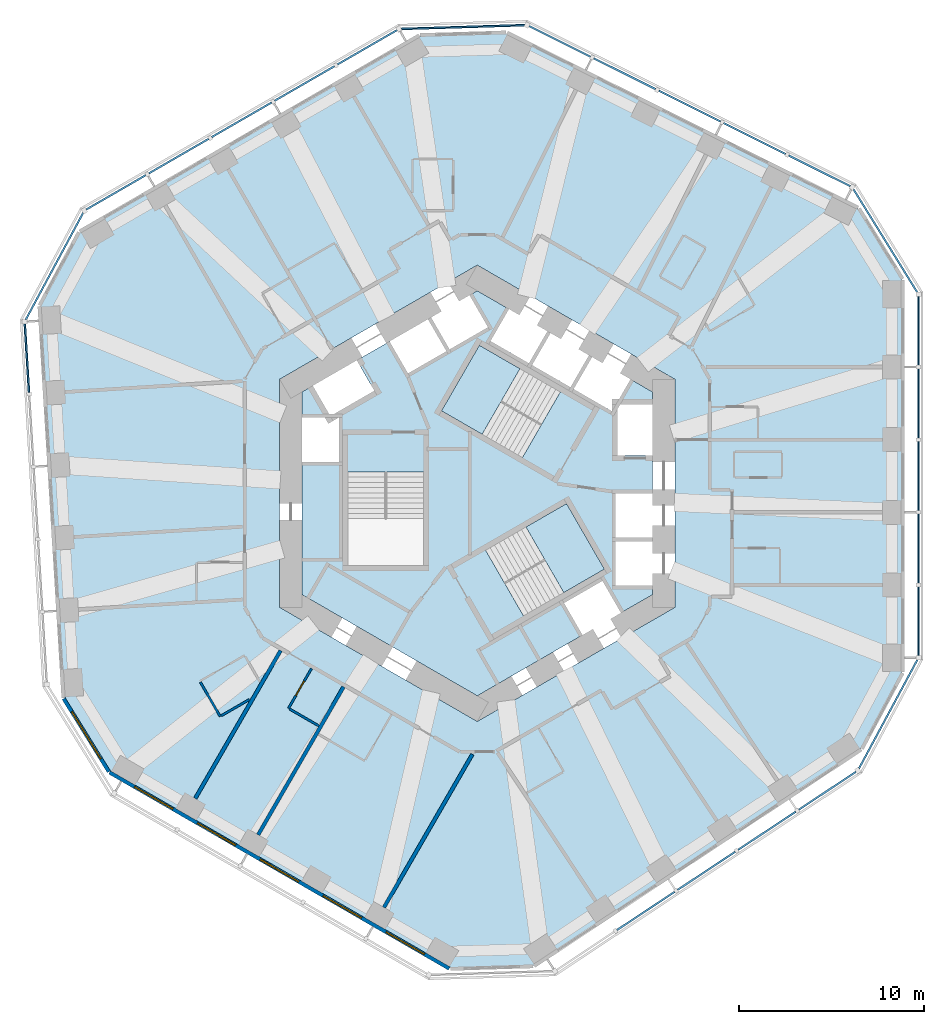
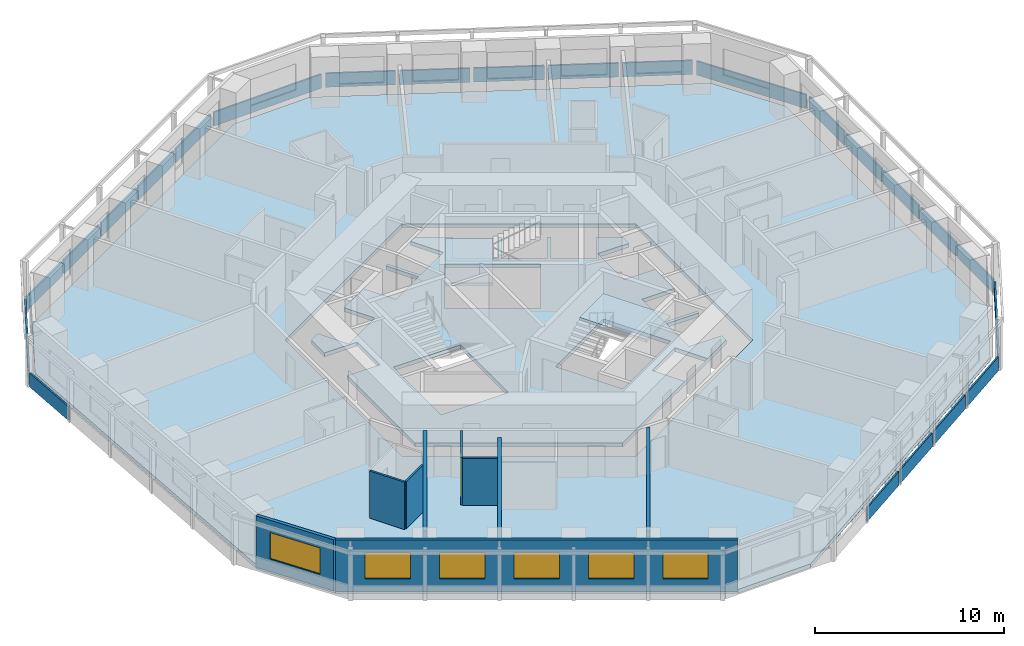
# One storey, part 3 of 12: 24 plates, 9 walls, 6 windows, 4 slabs, 1 door, 7 openings, 11 elements without a shape of their own.
"""IFC4 building model written with IfcOpenShell, lengths in metres."""

from ifc_helpers import new_model, si_unit, direction, frame, frame_2d, origin, origin_2d, place, context, subcontext, project, spatial, polyline, rectangle, outline, extrude, material, layer, layer_set, type_object, element, fill, aggregate, save


model = new_model("IFC4")

# Units and contexts
model_context = context("Model", 3, precision=1e-05, world=origin(), true_north=direction((0.0, 1.0)))
body_context = subcontext(model_context, "Body", "Model", "MODEL_VIEW")
ifc_project = project(units=[si_unit("LENGTHUNIT", "METRE"), si_unit("AREAUNIT", "SQUARE_METRE"), si_unit("VOLUMEUNIT", "CUBIC_METRE"), si_unit("PLANEANGLEUNIT", "RADIAN"), si_unit("MASSUNIT", "GRAM", prefix="KILO")], contexts=[model_context])

# Site, building, storey
site_placement = place(None, origin())
site = spatial("IfcSite", under=ifc_project, at=site_placement, CompositionType="ELEMENT")
building_placement = place(site_placement, origin())
building = spatial("IfcBuilding", under=site, at=building_placement, Name="Vanh Sen Convention Tower", CompositionType="ELEMENT")
storey_placement = place(building_placement, frame((0.0, 0.0, 44.0)))
storey = spatial("IfcBuildingStorey", under=building, at=storey_placement, Name="L07", CompositionType="ELEMENT", Elevation=44.0)

# Slabs
ifc_material_1 = material(Name="Concrete C40/50", Category="concrete")
ifc_layer_1 = layer(ifc_material_1, 0.25)
ifc_layer_set_1 = layer_set([ifc_layer_1], Name="Concrete C40/50")
slab_type_1 = type_object("IfcSlabType", Name="Core slab 250", PredefinedType="FLOOR", material=ifc_layer_set_1)
slab_1_placement = place(storey_placement, frame((0.0, 0.0, -0.25)))
element("IfcSlab", 1, at=slab_1_placement, inside=storey, type_object=slab_type_1, Name="Core slab L07", PredefinedType="FLOOR", context=body_context, shape_type="SweptSolid", body=[
    extrude(outline(polyline([(9.5, 5.48486328125), (9.5, 4.800048828125), (7.60009765625, 4.800048828125), (7.60009765625, 2.050048828125), (9.5, 2.050048828125), (9.5, 0.0), (7.5, 0.0), (7.5, -2.39990234375), (9.5, -2.39990234375), (9.5, -2.60009765625), (7.5, -2.60009765625), (7.5, -5.0), (9.5, -5.0), (9.5, -5.48486328125), (0.0, -10.9697265625), (-9.5, -5.48486328125), (-9.5, 1.699951171875), (-7.5, 1.699951171875), (-7.5, 4.10009765625), (-9.5, 4.10009765625), (-9.5, 5.48486328125), (-8.906982421875, 5.8271484375), (-7.956787109375, 4.181884765625), (-5.575439453125, 5.556884765625), (-6.525390625, 7.2021484375), (-4.75, 8.227294921875), (-3.75, 6.4951171875), (-1.67138671875, 7.6953125), (-2.67138671875, 9.42724609375), (-2.498291015625, 9.527099609375), (-1.498291015625, 7.795166015625), (0.580078125, 8.9951171875), (-0.419921875, 10.727294921875), (0.0, 10.9697265625), (1.718994140625, 9.977294921875), (0.718994140625, 8.2451171875), (2.79736328125, 7.045166015625), (3.79736328125, 8.777099609375), (3.970703125, 8.67724609375), (2.970703125, 6.9453125), (5.049072265625, 5.7451171875), (6.049072265625, 7.477294921875), (6.22216796875, 7.377197265625), (5.22216796875, 5.645263671875), (7.30078125, 4.4453125), (8.30078125, 6.17724609375), (9.5, 5.48486328125)]), holes=[polyline([(-7.0, 3.14990234375), (-7.0, -3.909912109375), (-2.89990234375, -3.909912109375), (-2.89990234375, 3.14990234375), (-2.89990234375, 1.1494140625), (-7.0, 1.1494140625), (-7.0, 3.14990234375)]), polyline([(4.495361328125, 5.487548828125), (6.22802734375, 4.4873046875), (0.11376953125, 8.01708984375), (-1.936279296875, 4.466552734375), (2.4453125, 1.936767578125), (4.495361328125, 5.487548828125)]), polyline([(7.781005859375, -6.477294921875), (6.781005859375, -4.7451171875), (4.70263671875, -5.9453125), (5.70263671875, -7.67724609375), (7.781005859375, -6.477294921875)]), polyline([(0.45458984375, -3.086181640625), (2.504638671875, -6.63671875), (6.88623046875, -4.107177734375), (4.836181640625, -0.556396484375), (-1.278076171875, -4.08642578125), (0.45458984375, -3.086181640625)])]), origin(), (0.0, 0.0, 1.0), 0.25),
])
ifc_layer_2 = layer(ifc_material_1, 0.25)
ifc_layer_set_2 = layer_set([ifc_layer_2], Name="Concrete C40/50")
slab_type_2 = type_object("IfcSlabType", Name="Floor slab 250 REI 120", PredefinedType="FLOOR", material=ifc_layer_set_2)
slab_2_placement = place(storey_placement, frame((0.0, 0.0, -0.25)))
element("IfcSlab", 2, at=slab_2_placement, inside=storey, type_object=slab_type_2, Name="Floor slab L07 tower", PredefinedType="FLOOR", context=body_context, shape_type="SweptSolid", body=[
    extrude(outline(polyline([(23.0, -9.69921875), (23.0, 11.57373046875), (20.620361328125, 15.419189453125), (1.58251953125, 24.911376953125), (-3.10009765625, 24.768310546875), (-21.523193359375, 14.131591796875), (-23.663818359375, 10.14794921875), (-22.364990234375, -11.085205078125), (-19.89990234375, -15.069091796875), (-1.476806640625, -25.705322265625), (3.04345703125, -25.5673828125), (20.78271484375, -13.825927734375), (23.0, -9.69921875)]), holes=[polyline([(0.0, 12.355224609375), (-10.699951171875, 6.177490234375), (-10.699951171875, -6.177490234375), (0.0, -12.355224609375), (10.699951171875, -6.177490234375), (10.699951171875, 6.177490234375), (0.0, 12.355224609375)])]), origin(), (0.0, 0.0, 1.0), 0.25),
])

# Curtain wall, plates
ifc_material_2 = material(Name="Concrete C50/60", Category="concrete")
curtain_wall_type = type_object("IfcCurtainWallType", Name="Outer skin hotel zone", PredefinedType="NOTDEFINED", material=ifc_material_2)
curtain_wall_1_placement = place(storey_placement, origin())
curtain_wall_1 = element("IfcCurtainWall", 3, at=curtain_wall_1_placement, inside=storey, type_object=curtain_wall_type, Name="OUTER SKIN E L07", PredefinedType="NOTDEFINED")
ifc_layer_3 = layer(ifc_material_2, 0.10009765625)
ifc_layer_set_3 = layer_set([ifc_layer_3], Name="Concrete C50/60")
plate_type = type_object("IfcPlateType", Name="Outer skin precast screen panel 100", PredefinedType="CURTAIN_PANEL", material=ifc_layer_set_3)
plate_1_placement = place(storey_placement, frame((23.89990234375, -6.91943359375, 0.0), z_axis=(0.0, 0.0, 1.0), x_axis=(0.0, 1.0, 0.0)))
plate_1 = element("IfcPlate", 4, at=plate_1_placement, type_object=plate_type, Name="OUTER SKIN screen panel E-1", PredefinedType="CURTAIN_PANEL", context=body_context, shape_type="SweptSolid", body=[
    extrude(rectangle(XDim=3.709716796875, YDim=0.10009765625, at=origin_2d()), origin(), (0.0, 0.0, 1.0), 0.89990234375),
])
plate_2_placement = place(storey_placement, frame((23.89990234375, -2.997314453125, 0.0), z_axis=(0.0, 0.0, 1.0), x_axis=(0.0, 1.0, 0.0)))
plate_2 = element("IfcPlate", 5, at=plate_2_placement, type_object=plate_type, Name="OUTER SKIN screen panel E-2", PredefinedType="CURTAIN_PANEL", context=body_context, shape_type="SweptSolid", body=[
    extrude(rectangle(XDim=3.734619140625, YDim=0.10009765625, at=origin_2d()), origin(), (0.0, 0.0, 1.0), 0.89990234375),
])
plate_3_placement = place(storey_placement, frame((23.89990234375, 0.937255859375, 0.0), z_axis=(0.0, 0.0, 1.0), x_axis=(0.0, 1.0, 0.0)))
plate_3 = element("IfcPlate", 6, at=plate_3_placement, type_object=plate_type, Name="OUTER SKIN screen panel E-3", PredefinedType="CURTAIN_PANEL", context=body_context, shape_type="SweptSolid", body=[
    extrude(rectangle(XDim=3.734619140625, YDim=0.10009765625, at=origin_2d()), origin(), (0.0, 0.0, 1.0), 0.89990234375),
])
plate_4_placement = place(storey_placement, frame((23.89990234375, 4.871826171875, 0.0), z_axis=(0.0, 0.0, 1.0), x_axis=(0.0, 1.0, 0.0)))
plate_4 = element("IfcPlate", 7, at=plate_4_placement, type_object=plate_type, Name="OUTER SKIN screen panel E-4", PredefinedType="CURTAIN_PANEL", context=body_context, shape_type="SweptSolid", body=[
    extrude(rectangle(XDim=3.734619140625, YDim=0.10009765625, at=origin_2d()), origin(), (0.0, 0.0, 1.0), 0.89990234375),
])
plate_5_placement = place(storey_placement, frame((23.89990234375, 8.7939453125, 0.0), z_axis=(0.0, 0.0, 1.0), x_axis=(0.0, 1.0, 0.0)))
plate_5 = element("IfcPlate", 8, at=plate_5_placement, type_object=plate_type, Name="OUTER SKIN screen panel E-5", PredefinedType="CURTAIN_PANEL", context=body_context, shape_type="SweptSolid", body=[
    extrude(rectangle(XDim=3.709716796875, YDim=0.10009765625, at=origin_2d()), origin(), (0.0, 0.0, 1.0), 0.89990234375),
])
aggregate(curtain_wall_1, [plate_1, plate_2, plate_3, plate_4, plate_5])

# Curtain wall, plate
curtain_wall_2_placement = place(storey_placement, origin())
curtain_wall_2 = element("IfcCurtainWall", 9, at=curtain_wall_2_placement, inside=storey, type_object=curtain_wall_type, Name="OUTER SKIN CH1 L07", PredefinedType="NOTDEFINED")
plate_6_placement = place(storey_placement, frame((22.102783203125, 13.677734375, 0.0), z_axis=(0.0, 0.0, 1.0), x_axis=(-0.526212439506, 0.850353143411, 0.0)))
plate_6 = element("IfcPlate", 10, at=plate_6_placement, type_object=plate_type, Name="OUTER SKIN screen panel CH1-1", PredefinedType="CURTAIN_PANEL", context=body_context, shape_type="SweptSolid", body=[
    extrude(rectangle(XDim=6.580078125, YDim=0.10009765625, at=origin_2d()), origin(), (0.0, 0.0, 1.0), 0.89990234375),
])
aggregate(curtain_wall_2, [plate_6])

# Curtain wall, plates
curtain_wall_3_placement = place(storey_placement, origin())
curtain_wall_3 = element("IfcCurtainWall", 11, at=curtain_wall_3_placement, inside=storey, type_object=curtain_wall_type, Name="OUTER SKIN NE L07", PredefinedType="NOTDEFINED")
plate_7_placement = place(storey_placement, frame((18.5341796875, 17.465087890625, 0.0), z_axis=(0.0, 0.0, 1.0), x_axis=(-0.894935140363, 0.446196251154, 0.0)))
plate_7 = element("IfcPlate", 12, at=plate_7_placement, type_object=plate_type, Name="OUTER SKIN screen panel NE-1", PredefinedType="CURTAIN_PANEL", context=body_context, shape_type="SweptSolid", body=[
    extrude(rectangle(XDim=3.709716796875, YDim=0.10009765625, at=origin_2d()), origin(), (0.0, 0.0, 1.0), 0.89990234375),
])
plate_8_placement = place(storey_placement, frame((15.024169921875, 19.215087890625, 0.0), z_axis=(0.0, 0.0, 1.0), x_axis=(-0.894935140363, 0.446196251154, 0.0)))
plate_8 = element("IfcPlate", 13, at=plate_8_placement, type_object=plate_type, Name="OUTER SKIN screen panel NE-2", PredefinedType="CURTAIN_PANEL", context=body_context, shape_type="SweptSolid", body=[
    extrude(rectangle(XDim=3.734619140625, YDim=0.10009765625, at=origin_2d()), origin(), (0.0, 0.0, 1.0), 0.89990234375),
])
plate_9_placement = place(storey_placement, frame((11.5029296875, 20.970703125, 0.0), z_axis=(0.0, 0.0, 1.0), x_axis=(-0.894935140363, 0.446196251154, 0.0)))
plate_9 = element("IfcPlate", 14, at=plate_9_placement, type_object=plate_type, Name="OUTER SKIN screen panel NE-3", PredefinedType="CURTAIN_PANEL", context=body_context, shape_type="SweptSolid", body=[
    extrude(rectangle(XDim=3.734619140625, YDim=0.10009765625, at=origin_2d()), origin(), (0.0, 0.0, 1.0), 0.89990234375),
])
plate_10_placement = place(storey_placement, frame((7.981689453125, 22.726318359375, 0.0), z_axis=(0.0, 0.0, 1.0), x_axis=(-0.894935140363, 0.446196251154, 0.0)))
plate_10 = element("IfcPlate", 15, at=plate_10_placement, type_object=plate_type, Name="OUTER SKIN screen panel NE-4", PredefinedType="CURTAIN_PANEL", context=body_context, shape_type="SweptSolid", body=[
    extrude(rectangle(XDim=3.734619140625, YDim=0.10009765625, at=origin_2d()), origin(), (0.0, 0.0, 1.0), 0.89990234375),
])
plate_11_placement = place(storey_placement, frame((4.4716796875, 24.476318359375, 0.0), z_axis=(0.0, 0.0, 1.0), x_axis=(-0.894935140363, 0.446196251154, 0.0)))
plate_11 = element("IfcPlate", 16, at=plate_11_placement, type_object=plate_type, Name="OUTER SKIN screen panel NE-5", PredefinedType="CURTAIN_PANEL", context=body_context, shape_type="SweptSolid", body=[
    extrude(rectangle(XDim=3.709716796875, YDim=0.10009765625, at=origin_2d()), origin(), (0.0, 0.0, 1.0), 0.89990234375),
])
aggregate(curtain_wall_3, [plate_7, plate_8, plate_9, plate_10, plate_11])

# Curtain wall, plate
curtain_wall_4_placement = place(storey_placement, origin())
curtain_wall_4 = element("IfcCurtainWall", 17, at=curtain_wall_4_placement, inside=storey, type_object=curtain_wall_type, Name="OUTER SKIN CH2 L07", PredefinedType="NOTDEFINED")
plate_12_placement = place(storey_placement, frame((-0.771484375, 25.253662109375, 0.0), z_axis=(0.0, 0.0, 1.0), x_axis=(-0.999533644135, -0.030536768695, 0.0)))
plate_12 = element("IfcPlate", 18, at=plate_12_placement, type_object=plate_type, Name="OUTER SKIN screen panel CH2-1", PredefinedType="CURTAIN_PANEL", context=body_context, shape_type="SweptSolid", body=[
    extrude(rectangle(XDim=6.696044921875, YDim=0.10009765625, at=origin_2d()), origin(), (0.0, 0.0, 1.0), 0.89990234375),
])
aggregate(curtain_wall_4, [plate_12])

# Curtain wall, plates
curtain_wall_5_placement = place(storey_placement, origin())
curtain_wall_5 = element("IfcCurtainWall", 19, at=curtain_wall_5_placement, inside=storey, type_object=curtain_wall_type, Name="OUTER SKIN NW L07", PredefinedType="NOTDEFINED")
plate_13_placement = place(storey_placement, frame((-5.95751953125, 24.15771484375, 0.0), z_axis=(0.0, 0.0, 1.0), x_axis=(-0.866028021766, -0.499995465495, 0.0)))
plate_13 = element("IfcPlate", 20, at=plate_13_placement, type_object=plate_type, Name="OUTER SKIN screen panel NW-1", PredefinedType="CURTAIN_PANEL", context=body_context, shape_type="SweptSolid", body=[
    extrude(rectangle(XDim=3.709716796875, YDim=0.10009765625, at=origin_2d()), origin(), (0.0, 0.0, 1.0), 0.89990234375),
])
plate_14_placement = place(storey_placement, frame((-9.354248046875, 22.19677734375, 0.0), z_axis=(0.0, 0.0, 1.0), x_axis=(-0.866021040428, -0.500007557478, 0.0)))
plate_14 = element("IfcPlate", 21, at=plate_14_placement, type_object=plate_type, Name="OUTER SKIN screen panel NW-2", PredefinedType="CURTAIN_PANEL", context=body_context, shape_type="SweptSolid", body=[
    extrude(rectangle(XDim=3.734619140625, YDim=0.10009765625, at=origin_2d()), origin(), (0.0, 0.0, 1.0), 0.89990234375),
])
plate_15_placement = place(storey_placement, frame((-12.76171875, 20.2294921875, 0.0), z_axis=(0.0, 0.0, 1.0), x_axis=(-0.866028021766, -0.499995465495, 0.0)))
plate_15 = element("IfcPlate", 22, at=plate_15_placement, type_object=plate_type, Name="OUTER SKIN screen panel NW-3", PredefinedType="CURTAIN_PANEL", context=body_context, shape_type="SweptSolid", body=[
    extrude(rectangle(XDim=3.734619140625, YDim=0.10009765625, at=origin_2d()), origin(), (0.0, 0.0, 1.0), 0.89990234375),
])
plate_16_placement = place(storey_placement, frame((-16.169189453125, 18.26220703125, 0.0), z_axis=(0.0, 0.0, 1.0), x_axis=(-0.866028021766, -0.499995465495, 0.0)))
plate_16 = element("IfcPlate", 23, at=plate_16_placement, type_object=plate_type, Name="OUTER SKIN screen panel NW-4", PredefinedType="CURTAIN_PANEL", context=body_context, shape_type="SweptSolid", body=[
    extrude(rectangle(XDim=3.734619140625, YDim=0.10009765625, at=origin_2d()), origin(), (0.0, 0.0, 1.0), 0.89990234375),
])
plate_17_placement = place(storey_placement, frame((-19.56591796875, 16.301025390625, 0.0), z_axis=(0.0, 0.0, 1.0), x_axis=(-0.866021040428, -0.500007557478, 0.0)))
plate_17 = element("IfcPlate", 24, at=plate_17_placement, type_object=plate_type, Name="OUTER SKIN screen panel NW-5", PredefinedType="CURTAIN_PANEL", context=body_context, shape_type="SweptSolid", body=[
    extrude(rectangle(XDim=3.70947265625, YDim=0.10009765625, at=origin_2d()), origin(), (0.0, 0.0, 1.0), 0.89990234375),
])
aggregate(curtain_wall_5, [plate_13, plate_14, plate_15, plate_16, plate_17])

# Curtain wall, plate
curtain_wall_6_placement = place(storey_placement, origin())
curtain_wall_6 = element("IfcCurtainWall", 25, at=curtain_wall_6_placement, inside=storey, type_object=curtain_wall_type, Name="OUTER SKIN CH3 L07", PredefinedType="NOTDEFINED")
plate_18_placement = place(storey_placement, frame((-22.896728515625, 12.302978515625, 0.0), z_axis=(0.0, 0.0, 1.0), x_axis=(-0.47331812974, -0.880891564303, 0.0)))
plate_18 = element("IfcPlate", 26, at=plate_18_placement, type_object=plate_type, Name="OUTER SKIN screen panel CH3-1", PredefinedType="CURTAIN_PANEL", context=body_context, shape_type="SweptSolid", body=[
    extrude(rectangle(XDim=6.580078125, YDim=0.10009765625, at=origin_2d()), origin(), (0.0, 0.0, 1.0), 0.89990234375),
])
aggregate(curtain_wall_6, [plate_18])

curtain_wall_7_placement = place(storey_placement, origin())
curtain_wall_7 = element("IfcCurtainWall", 27, at=curtain_wall_7_placement, inside=storey, type_object=curtain_wall_type, Name="OUTER SKIN W L07", PredefinedType="NOTDEFINED")
plate_19_placement = place(storey_placement, frame((-24.39208984375, 7.318603515625, 0.0), z_axis=(0.0, 0.0, 1.0), x_axis=(0.061046797461, -0.99813490497, 0.0)))
plate_19 = element("IfcPlate", 28, at=plate_19_placement, type_object=plate_type, Name="OUTER SKIN screen panel W-1", PredefinedType="CURTAIN_PANEL", context=body_context, shape_type="SweptSolid", body=[
    extrude(rectangle(XDim=3.709716796875, YDim=0.10009765625, at=origin_2d()), origin(), (0.0, 0.0, 1.0), 0.89990234375),
])
aggregate(curtain_wall_7, [plate_19])

# Curtain wall, plates
curtain_wall_8_placement = place(storey_placement, origin())
curtain_wall_8 = element("IfcCurtainWall", 29, at=curtain_wall_8_placement, inside=storey, type_object=curtain_wall_type, Name="OUTER SKIN SE L07", PredefinedType="NOTDEFINED")
plate_20_placement = place(storey_placement, frame((9.128662109375, -22.618896484375, 0.0), z_axis=(0.0, 0.0, 1.0), x_axis=(0.833891601892, 0.55192825285, 0.0)))
plate_20 = element("IfcPlate", 30, at=plate_20_placement, type_object=plate_type, Name="OUTER SKIN screen panel SE-2", PredefinedType="CURTAIN_PANEL", context=body_context, shape_type="SweptSolid", body=[
    extrude(rectangle(XDim=3.734619140625, YDim=0.10009765625, at=origin_2d()), origin(), (0.0, 0.0, 1.0), 0.89990234375),
])
plate_21_placement = place(storey_placement, frame((12.40966796875, -20.447265625, 0.0), z_axis=(0.0, 0.0, 1.0), x_axis=(0.833880042151, 0.551945717714, 0.0)))
plate_21 = element("IfcPlate", 31, at=plate_21_placement, type_object=plate_type, Name="OUTER SKIN screen panel SE-3", PredefinedType="CURTAIN_PANEL", context=body_context, shape_type="SweptSolid", body=[
    extrude(rectangle(XDim=3.734619140625, YDim=0.10009765625, at=origin_2d()), origin(), (0.0, 0.0, 1.0), 0.89990234375),
])
plate_22_placement = place(storey_placement, frame((15.690673828125, -18.275390625, 0.0), z_axis=(0.0, 0.0, 1.0), x_axis=(0.833891601892, 0.55192825285, 0.0)))
plate_22 = element("IfcPlate", 32, at=plate_22_placement, type_object=plate_type, Name="OUTER SKIN screen panel SE-4", PredefinedType="CURTAIN_PANEL", context=body_context, shape_type="SweptSolid", body=[
    extrude(rectangle(XDim=3.734619140625, YDim=0.10009765625, at=origin_2d()), origin(), (0.0, 0.0, 1.0), 0.89990234375),
])
plate_23_placement = place(storey_placement, frame((18.961181640625, -16.11083984375, 0.0), z_axis=(0.0, 0.0, 1.0), x_axis=(0.833880042151, 0.551945717714, 0.0)))
plate_23 = element("IfcPlate", 33, at=plate_23_placement, type_object=plate_type, Name="OUTER SKIN screen panel SE-5", PredefinedType="CURTAIN_PANEL", context=body_context, shape_type="SweptSolid", body=[
    extrude(rectangle(XDim=3.709716796875, YDim=0.10009765625, at=origin_2d()), origin(), (0.0, 0.0, 1.0), 0.89990234375),
])
aggregate(curtain_wall_8, [plate_20, plate_21, plate_22, plate_23])

# Curtain wall, plate
curtain_wall_9_placement = place(storey_placement, origin())
curtain_wall_9 = element("IfcCurtainWall", 34, at=curtain_wall_9_placement, inside=storey, type_object=curtain_wall_type, Name="OUTER SKIN CH6 L07", PredefinedType="NOTDEFINED")
plate_24_placement = place(storey_placement, frame((22.256103515625, -11.95849609375, 0.0), z_axis=(0.0, 0.0, 1.0), x_axis=(0.473322742071, 0.880889086003, 0.0)))
plate_24 = element("IfcPlate", 35, at=plate_24_placement, type_object=plate_type, Name="OUTER SKIN screen panel CH6-1", PredefinedType="CURTAIN_PANEL", context=body_context, shape_type="SweptSolid", body=[
    extrude(rectangle(XDim=6.6962890625, YDim=0.10009765625, at=origin_2d()), origin(), (0.0, 0.0, 1.0), 0.89990234375),
])
aggregate(curtain_wall_9, [plate_24])

# Stair, slab
ifc_material_3 = material(Name="Concrete C50/60", Category="concrete")
stair_type_1 = type_object("IfcStairType", Name="Exit stair ST1 20 risers at 165.0", PredefinedType="HALF_TURN_STAIR", material=ifc_material_3)
stair_1_placement = place(storey_placement, origin())
stair_1 = element("IfcStair", 36, at=stair_1_placement, inside=storey, type_object=stair_type_1, Name="Exit stair ST1 L07", PredefinedType="HALF_TURN_STAIR")
ifc_layer_4 = layer(ifc_material_1, 0.199951171875)
ifc_layer_set_4 = layer_set([ifc_layer_4], Name="Concrete C40/50")
slab_type_3 = type_object("IfcSlabType", Name="Stair landing 200", PredefinedType="LANDING", material=ifc_layer_set_4)
slab_3_placement = place(storey_placement, frame((0.0, 0.0, 1.449951171875)))
slab_3 = element("IfcSlab", 37, at=slab_3_placement, type_object=slab_type_3, Name="ST1 landing 1", PredefinedType="LANDING", context=body_context, shape_type="SweptSolid", body=[
    extrude(outline(polyline([(2.314208984375, 6.746826171875), (0.11376953125, 8.01708984375), (-1.936279296875, 4.466552734375), (0.26416015625, 3.196044921875), (2.314208984375, 6.746826171875)])), origin(), (0.0, 0.0, 1.0), 0.199951171875),
])
aggregate(stair_1, [slab_3])

stair_type_2 = type_object("IfcStairType", Name="Exit stair ST3 20 risers at 165.0", PredefinedType="HALF_TURN_STAIR", material=ifc_material_3)
stair_2_placement = place(storey_placement, origin())
stair_2 = element("IfcStair", 38, at=stair_2_placement, inside=storey, type_object=stair_type_2, Name="Exit stair ST3 L07", PredefinedType="HALF_TURN_STAIR")
slab_4_placement = place(storey_placement, frame((0.0, 0.0, 1.449951171875)))
slab_4 = element("IfcSlab", 39, at=slab_4_placement, type_object=slab_type_3, Name="ST3 landing 1", PredefinedType="LANDING", context=body_context, shape_type="SweptSolid", body=[
    extrude(outline(polyline([(4.685791015625, -5.37744140625), (6.88623046875, -4.107177734375), (4.836181640625, -0.556396484375), (2.6357421875, -1.826904296875), (4.685791015625, -5.37744140625)])), origin(), (0.0, 0.0, 1.0), 0.199951171875),
])
aggregate(stair_2, [slab_4])

# Walls
ifc_material_4 = material(Name="Moisture-resistant gypsum board on steel studs", Category="steel")
ifc_layer_5 = layer(ifc_material_4, 0.1201171875)
ifc_layer_set_5 = layer_set([ifc_layer_5], Name="Moisture-resistant gypsum board on steel studs")
wall_type_1 = type_object("IfcWallType", Name="Bathroom partition 120", PredefinedType="PARTITIONING", material=ifc_layer_set_5)
wall_1_placement = place(storey_placement, frame((-13.92578125, -12.081298828125, 0.0), z_axis=(0.0, 0.0, 1.0), x_axis=(-0.499992422807, 0.866029778435, 0.0)))
element("IfcWall", 40, at=wall_1_placement, inside=storey, type_object=wall_type_1, Name="Bathroom partition 120", PredefinedType="PARTITIONING", context=body_context, shape_type="SweptSolid", body=[
    extrude(rectangle(XDim=2.1396484375, YDim=0.1201171875, at=frame_2d((1.06982421875, 0.0))), origin(), (0.0, 0.0, 1.0), 3.050048828125),
])
wall_2_placement = place(storey_placement, frame((-12.341552734375, -11.166748046875, 0.0), z_axis=(0.0, 0.0, 1.0), x_axis=(-0.865992557167, -0.500056887695, 0.0)))
element("IfcWall", 41, at=wall_2_placement, inside=storey, type_object=wall_type_1, Name="Bathroom partition 120", PredefinedType="PARTITIONING", context=body_context, shape_type="SweptSolid", body=[
    extrude(rectangle(XDim=1.769287109375, YDim=0.1201171875, at=frame_2d((0.884765625, 0.0))), origin(), (0.0, 0.0, 1.0), 3.050048828125),
])

# Wall, opening, door
wall_3_placement = place(storey_placement, frame((-10.22412109375, -11.6484375, 0.0), z_axis=(0.0, 0.0, 1.0), x_axis=(0.500004234368, 0.866022959057, 0.0)))
wall_3 = element("IfcWall", 42, at=wall_3_placement, inside=storey, type_object=wall_type_1, Name="Bathroom partition 120", PredefinedType="PARTITIONING", context=body_context, shape_type="SweptSolid", body=[
    extrude(rectangle(XDim=2.5, YDim=0.1201171875, at=frame_2d((1.25, 0.0))), origin(), (0.0, 0.0, 1.0), 3.050048828125),
])
opening_1_placement = place(wall_3_placement, frame((0.800048828125, 0.0, 0.0)))
opening_1 = element("IfcOpeningElement", 43, at=opening_1_placement, cuts=wall_3, Name="Opening D07125", PredefinedType="OPENING", context=body_context, shape_type="SweptSolid", body=[
    extrude(rectangle(XDim=0.89990234375, YDim=2.10009765625, at=frame_2d((0.449951171875, 1.050048828125))), frame((0.0, 0.070068359375, 0.0), z_axis=(0.0, -1.0, 0.0), x_axis=(1.0, 0.0, 0.0)), (0.0, 0.0, 1.0), 0.14013671875),
])
ifc_material_5 = material(Name="Laminate door in steel frame", Category="steel")
door_type = type_object("IfcDoorType", Name="En-suite door 900", OperationType="SINGLE_SWING_LEFT", PredefinedType="DOOR", material=ifc_material_5)
door_placement = place(opening_1_placement, origin())
door = element("IfcDoor", 44, at=door_placement, inside=storey, type_object=door_type, Name="En-suite door D07125", OperationType="SINGLE_SWING_LEFT", OverallHeight=2.10009765625, OverallWidth=0.89990234375, PredefinedType="DOOR", context=body_context, shape_type="SweptSolid", body=[
    extrude(rectangle(XDim=0.89990234375, YDim=2.10009765625, at=frame_2d((0.449951171875, 1.050048828125))), frame((0.0, 0.02490234375, 0.0), z_axis=(0.0, -1.0, 0.0), x_axis=(1.0, 0.0, 0.0)), (0.0, 0.0, 1.0), 0.050048828125),
])
fill(opening_1, door)

# Wall
wall_4_placement = place(storey_placement, frame((-8.57861328125, -12.598388671875, 0.0), z_axis=(0.0, 0.0, 1.0), x_axis=(-0.866046386007, 0.499963655964, 0.0)))
element("IfcWall", 45, at=wall_4_placement, inside=storey, type_object=wall_type_1, Name="Bathroom partition 120", PredefinedType="PARTITIONING", context=body_context, shape_type="SweptSolid", body=[
    extrude(rectangle(XDim=1.840087890625, YDim=0.1201171875, at=frame_2d((0.919921875, 0.0))), origin(), (0.0, 0.0, 1.0), 3.050048828125),
])

# Wall, opening, window
ifc_material_6 = material(Name="Insulated lightweight infill wall")
ifc_layer_6 = layer(ifc_material_6, 0.199951171875)
ifc_layer_set_6 = layer_set([ifc_layer_6], Name="Insulated lightweight infill wall")
wall_type_2 = type_object("IfcWallType", Name="External wall 200", PredefinedType="STANDARD", material=ifc_layer_set_6)
wall_5_placement = place(storey_placement, frame((-22.40087890625, -11.122314453125, 0.0), z_axis=(0.0, 0.0, 1.0), x_axis=(0.526197679914, -0.850362276711, 0.0)))
wall_5 = element("IfcWall", 46, at=wall_5_placement, inside=storey, type_object=wall_type_2, Name="External wall CH4 L07", PredefinedType="STANDARD", context=body_context, shape_type="SweptSolid", body=[
    extrude(rectangle(XDim=4.65966796875, YDim=0.199951171875, at=frame_2d((2.329833984375, 0.0))), origin(), (0.0, 0.0, 1.0), 3.300048828125),
])
opening_2_placement = place(wall_5_placement, frame((0.829833984375, 0.0, 0.800048828125)))
opening_2 = element("IfcOpeningElement", 47, at=opening_2_placement, cuts=wall_5, Name="Opening WH2-CH41", PredefinedType="OPENING", context=body_context, shape_type="SweptSolid", body=[
    extrude(rectangle(XDim=3.0, YDim=1.699951171875, at=frame_2d((1.5, 0.85009765625))), frame((0.0, 0.10986328125, 0.0), z_axis=(0.0, -1.0, 0.0), x_axis=(1.0, 0.0, 0.0)), (0.0, 0.0, 1.0), 0.219970703125),
])
ifc_material_7 = material(Name="Aluminium frame with clear low-emissivity glass", Category="aluminium")
window_type_1 = type_object("IfcWindowType", Name="Hotel window 3000 x 1700", PartitioningType="SINGLE_PANEL", PredefinedType="WINDOW", material=ifc_material_7)
window_1_placement = place(opening_2_placement, origin())
window_1 = element("IfcWindow", 48, at=window_1_placement, inside=storey, type_object=window_type_1, Name="Window WH2-CH41", OverallHeight=1.699951171875, OverallWidth=3.0, PartitioningType="SINGLE_PANEL", PredefinedType="WINDOW", context=body_context, shape_type="SweptSolid", body=[
    extrude(rectangle(XDim=3.0, YDim=1.699951171875, at=frame_2d((1.5, 0.85009765625))), frame((0.0, 0.030029296875, 0.0), z_axis=(0.0, -1.0, 0.0), x_axis=(1.0, 0.0, 0.0)), (0.0, 0.0, 1.0), 0.06005859375),
])
fill(opening_2, window_1)

# Wall, openings, windows
wall_6_placement = place(storey_placement, frame((-19.913818359375, -15.11865234375, 0.0), z_axis=(0.0, 0.0, 1.0), x_axis=(0.866025418898, -0.499999973822, 0.0)))
wall_6 = element("IfcWall", 49, at=wall_6_placement, inside=storey, type_object=wall_type_2, Name="External wall SW L07", PredefinedType="STANDARD", context=body_context, shape_type="SweptSolid", body=[
    extrude(rectangle(XDim=21.24609375, YDim=0.199951171875, at=frame_2d((10.623046875, 0.0))), origin(), (0.0, 0.0, 1.0), 3.300048828125),
])
opening_3_placement = place(wall_6_placement, frame((1.5546875, 0.0, 0.800048828125)))
opening_3 = element("IfcOpeningElement", 50, at=opening_3_placement, cuts=wall_6, Name="Opening WH1-SW1", PredefinedType="OPENING", context=body_context, shape_type="SweptSolid", body=[
    extrude(rectangle(XDim=2.39990234375, YDim=1.699951171875, at=frame_2d((1.199951171875, 0.85009765625))), frame((0.0, 0.10986328125, 0.0), z_axis=(0.0, -1.0, 0.0), x_axis=(1.0, 0.0, 0.0)), (0.0, 0.0, 1.0), 0.219970703125),
])
opening_4_placement = place(wall_6_placement, frame((5.4892578125, 0.0, 0.800048828125)))
opening_4 = element("IfcOpeningElement", 51, at=opening_4_placement, cuts=wall_6, Name="Opening WH1-SW2", PredefinedType="OPENING", context=body_context, shape_type="SweptSolid", body=[
    extrude(rectangle(XDim=2.39990234375, YDim=1.699951171875, at=frame_2d((1.199951171875, 0.85009765625))), frame((0.0, 0.10986328125, 0.0), z_axis=(0.0, -1.0, 0.0), x_axis=(1.0, 0.0, 0.0)), (0.0, 0.0, 1.0), 0.219970703125),
])
opening_5_placement = place(wall_6_placement, frame((9.423828125, 0.0, 0.800048828125)))
opening_5 = element("IfcOpeningElement", 52, at=opening_5_placement, cuts=wall_6, Name="Opening WH1-SW3", PredefinedType="OPENING", context=body_context, shape_type="SweptSolid", body=[
    extrude(rectangle(XDim=2.39990234375, YDim=1.699951171875, at=frame_2d((1.199951171875, 0.85009765625))), frame((0.0, 0.10986328125, 0.0), z_axis=(0.0, -1.0, 0.0), x_axis=(1.0, 0.0, 0.0)), (0.0, 0.0, 1.0), 0.219970703125),
])
opening_6_placement = place(wall_6_placement, frame((13.3583984375, 0.0, 0.800048828125)))
opening_6 = element("IfcOpeningElement", 53, at=opening_6_placement, cuts=wall_6, Name="Opening WH1-SW4", PredefinedType="OPENING", context=body_context, shape_type="SweptSolid", body=[
    extrude(rectangle(XDim=2.39990234375, YDim=1.699951171875, at=frame_2d((1.199951171875, 0.85009765625))), frame((0.0, 0.10986328125, 0.0), z_axis=(0.0, -1.0, 0.0), x_axis=(1.0, 0.0, 0.0)), (0.0, 0.0, 1.0), 0.219970703125),
])
opening_7_placement = place(wall_6_placement, frame((17.293212890625, 0.0, 0.800048828125)))
opening_7 = element("IfcOpeningElement", 54, at=opening_7_placement, cuts=wall_6, Name="Opening WH1-SW5", PredefinedType="OPENING", context=body_context, shape_type="SweptSolid", body=[
    extrude(rectangle(XDim=2.39990234375, YDim=1.699951171875, at=frame_2d((1.199951171875, 0.85009765625))), frame((0.0, 0.10986328125, 0.0), z_axis=(0.0, -1.0, 0.0), x_axis=(1.0, 0.0, 0.0)), (0.0, 0.0, 1.0), 0.219970703125),
])
window_type_2 = type_object("IfcWindowType", Name="Hotel window 2400 x 1700", PartitioningType="SINGLE_PANEL", PredefinedType="WINDOW", material=ifc_material_7)
window_2_placement = place(opening_3_placement, origin())
window_2 = element("IfcWindow", 55, at=window_2_placement, inside=storey, type_object=window_type_2, Name="Window WH1-SW1", OverallHeight=1.699951171875, OverallWidth=2.39990234375, PartitioningType="SINGLE_PANEL", PredefinedType="WINDOW", context=body_context, shape_type="SweptSolid", body=[
    extrude(rectangle(XDim=2.39990234375, YDim=1.699951171875, at=frame_2d((1.199951171875, 0.85009765625))), frame((0.0, 0.030029296875, 0.0), z_axis=(0.0, -1.0, 0.0), x_axis=(1.0, 0.0, 0.0)), (0.0, 0.0, 1.0), 0.06005859375),
])
fill(opening_3, window_2)
window_3_placement = place(opening_4_placement, origin())
window_3 = element("IfcWindow", 56, at=window_3_placement, inside=storey, type_object=window_type_2, Name="Window WH1-SW2", OverallHeight=1.699951171875, OverallWidth=2.39990234375, PartitioningType="SINGLE_PANEL", PredefinedType="WINDOW", context=body_context, shape_type="SweptSolid", body=[
    extrude(rectangle(XDim=2.39990234375, YDim=1.699951171875, at=frame_2d((1.199951171875, 0.85009765625))), frame((0.0, 0.030029296875, 0.0), z_axis=(0.0, -1.0, 0.0), x_axis=(1.0, 0.0, 0.0)), (0.0, 0.0, 1.0), 0.06005859375),
])
fill(opening_4, window_3)
window_4_placement = place(opening_5_placement, origin())
window_4 = element("IfcWindow", 57, at=window_4_placement, inside=storey, type_object=window_type_2, Name="Window WH1-SW3", OverallHeight=1.699951171875, OverallWidth=2.39990234375, PartitioningType="SINGLE_PANEL", PredefinedType="WINDOW", context=body_context, shape_type="SweptSolid", body=[
    extrude(rectangle(XDim=2.39990234375, YDim=1.699951171875, at=frame_2d((1.199951171875, 0.85009765625))), frame((0.0, 0.030029296875, 0.0), z_axis=(0.0, -1.0, 0.0), x_axis=(1.0, 0.0, 0.0)), (0.0, 0.0, 1.0), 0.06005859375),
])
fill(opening_5, window_4)
window_5_placement = place(opening_6_placement, origin())
window_5 = element("IfcWindow", 58, at=window_5_placement, inside=storey, type_object=window_type_2, Name="Window WH1-SW4", OverallHeight=1.699951171875, OverallWidth=2.39990234375, PartitioningType="SINGLE_PANEL", PredefinedType="WINDOW", context=body_context, shape_type="SweptSolid", body=[
    extrude(rectangle(XDim=2.39990234375, YDim=1.699951171875, at=frame_2d((1.199951171875, 0.85009765625))), frame((0.0, 0.030029296875, 0.0), z_axis=(0.0, -1.0, 0.0), x_axis=(1.0, 0.0, 0.0)), (0.0, 0.0, 1.0), 0.06005859375),
])
fill(opening_6, window_5)
window_6_placement = place(opening_7_placement, origin())
window_6 = element("IfcWindow", 59, at=window_6_placement, inside=storey, type_object=window_type_2, Name="Window WH1-SW5", OverallHeight=1.699951171875, OverallWidth=2.39990234375, PartitioningType="SINGLE_PANEL", PredefinedType="WINDOW", context=body_context, shape_type="SweptSolid", body=[
    extrude(rectangle(XDim=2.39990234375, YDim=1.699951171875, at=frame_2d((1.199951171875, 0.85009765625))), frame((0.0, 0.030029296875, 0.0), z_axis=(0.0, -1.0, 0.0), x_axis=(1.0, 0.0, 0.0)), (0.0, 0.0, 1.0), 0.06005859375),
])
fill(opening_7, window_6)

# Walls
ifc_material_8 = material(Name="Gypsum board on steel studs with mineral wool", Category="steel")
ifc_layer_7 = layer(ifc_material_8, 0.199951171875)
ifc_layer_set_7 = layer_set([ifc_layer_7], Name="Gypsum board on steel studs with mineral wool")
wall_type_3 = type_object("IfcWallType", Name="Hotel party wall 200", PredefinedType="PARTITIONING", material=ifc_layer_set_7)
wall_7_placement = place(storey_placement, frame((-15.2744140625, -16.527099609375, 0.0), z_axis=(0.0, 0.0, 1.0), x_axis=(0.49998823431, 0.866032196602, 0.0)))
element("IfcWall", 60, at=wall_7_placement, inside=storey, type_object=wall_type_3, Name="Hotel party wall 200", PredefinedType="PARTITIONING", context=body_context, shape_type="SweptSolid", body=[
    extrude(rectangle(XDim=9.250244140625, YDim=0.199951171875, at=frame_2d((4.625, 0.0))), origin(), (0.0, 0.0, 1.0), 3.050048828125),
])
wall_8_placement = place(storey_placement, frame((-11.8671875, -18.494140625, 0.0), z_axis=(0.0, 0.0, 1.0), x_axis=(0.499999662836, 0.866025598446, 0.0)))
element("IfcWall", 61, at=wall_8_placement, inside=storey, type_object=wall_type_3, Name="Hotel party wall 200", PredefinedType="PARTITIONING", context=body_context, shape_type="SweptSolid", body=[
    extrude(rectangle(XDim=9.25, YDim=0.199951171875, at=frame_2d((4.625, 0.0))), origin(), (0.0, 0.0, 1.0), 2.60009765625),
])
wall_9_placement = place(storey_placement, frame((-5.052001953125, -22.4287109375, 0.0), z_axis=(0.0, 0.0, 1.0), x_axis=(0.500004329283, 0.866022904257, 0.0)))
element("IfcWall", 62, at=wall_9_placement, inside=storey, type_object=wall_type_3, Name="Hotel party wall 200", PredefinedType="PARTITIONING", context=body_context, shape_type="SweptSolid", body=[
    extrude(rectangle(XDim=9.57177734375, YDim=0.199951171875, at=frame_2d((4.785888671875, 0.0))), origin(), (0.0, 0.0, 1.0), 3.050048828125),
])

save(model, "model.ifc")
